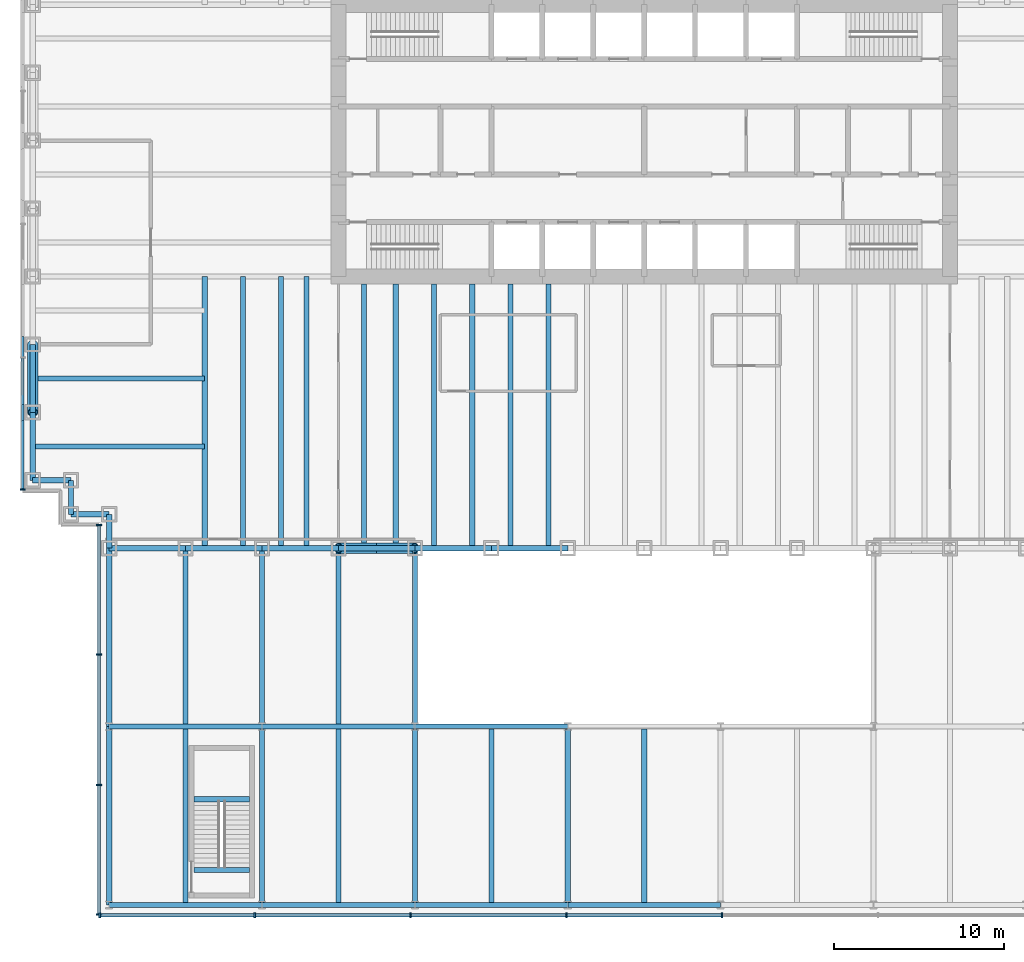
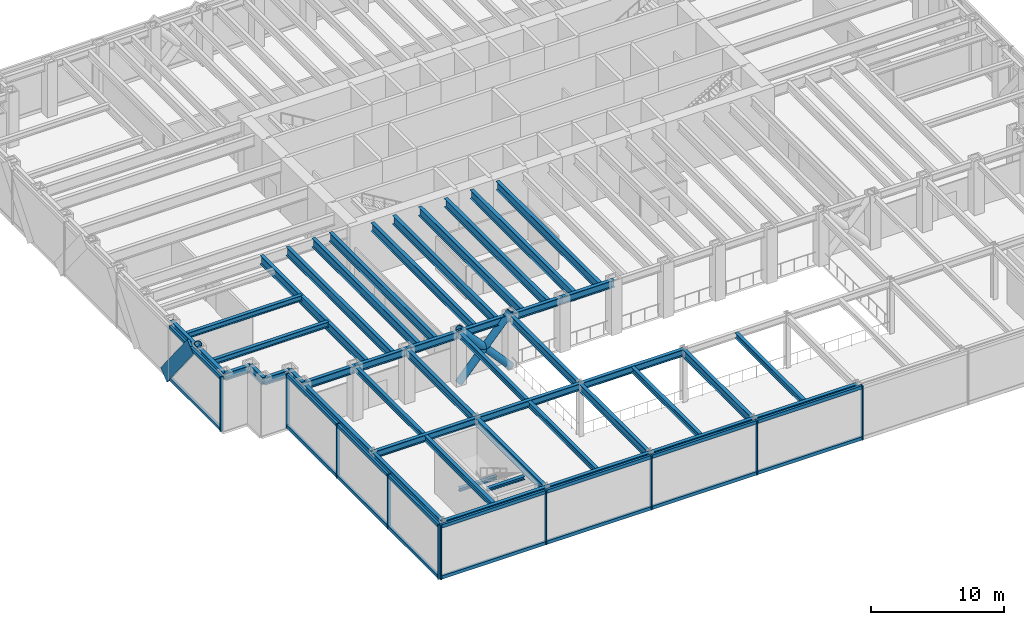
# One storey, part 3 of 17: 46 beams, 30 members, 3 elements without a shape of their own.
"""IFC4 building model written with IfcOpenShell, lengths in metres."""

from ifc_helpers import new_model, si_unit, direction, frame, origin, origin_2d, place, context, subcontext, project, spatial, rectangle, hollow_circle, i_section, extrude, material, material_profile, profile_set, type_object, element, aggregate, save


model = new_model("IFC4")

# Units and contexts
model_context = context("Model", 3, precision=1e-05, world=origin(), true_north=direction((0.0, 1.0)))
body_context = subcontext(model_context, "Body", "Model", "MODEL_VIEW")
ifc_project = project(units=[si_unit("LENGTHUNIT", "METRE"), si_unit("AREAUNIT", "SQUARE_METRE"), si_unit("VOLUMEUNIT", "CUBIC_METRE"), si_unit("PLANEANGLEUNIT", "RADIAN"), si_unit("MASSUNIT", "GRAM", prefix="KILO")], contexts=[model_context])

# Site, building, storey
site_placement = place(None, origin())
site = spatial("IfcSite", under=ifc_project, at=site_placement, CompositionType="ELEMENT")
building_placement = place(site_placement, origin())
building = spatial("IfcBuilding", under=site, at=building_placement, Name="Rheinbord Bourse Tower", CompositionType="ELEMENT")
storey_placement = place(building_placement, frame((0.0, 0.0, 13.0)))
storey = spatial("IfcBuildingStorey", under=building, at=storey_placement, Name="L02", CompositionType="ELEMENT", Elevation=13.0)

# Curtain wall, member
ifc_material_1 = material(Name="Dark glass and black aluminium", Category="aluminium")
curtain_wall_type = type_object("IfcCurtainWallType", Name="CW4 DARK GLASS CURTAIN WALL", PredefinedType="USERDEFINED", material=ifc_material_1)
curtain_wall_1_placement = place(storey_placement, origin())
curtain_wall_1 = element("IfcCurtainWall", 1, at=curtain_wall_1_placement, inside=storey, type_object=curtain_wall_type, Name="Curtain wall CW4 W L02", ObjectType="UNITISED CURTAIN WALL", PredefinedType="USERDEFINED")
ifc_material_2 = material(Name="Black anodised aluminium", Category="aluminium")
ifc_material_profile_1 = material_profile(ifc_material_2, rectangle(XDim=0.199951171875, YDim=1.2099609375, at=origin_2d()), Name="CW4 DIAGONAL MULLION 1210x200")
ifc_profile_set_1 = profile_set([ifc_material_profile_1], Name="Black anodised aluminium")
member_type_1 = type_object("IfcMemberType", Name="CW4 BLACK DIAGONAL MULLION", PredefinedType="USERDEFINED", material=ifc_profile_set_1)
member_1_placement = place(storey_placement, frame((-0.60009765625, 12.0, 0.0), z_axis=(0.0, -0.624695047554, 0.780868809443), x_axis=(1.0, 0.0, 0.0)))
member_1 = element("IfcMember", 2, at=member_1_placement, type_object=member_type_1, Name="CW4 diagonal mullion d", ObjectType="DIAGONAL MULLION", PredefinedType="USERDEFINED", context=body_context, shape_type="SweptSolid", body=[
    extrude(rectangle(XDim=0.199951171875, YDim=1.2099609375, at=origin_2d()), origin(), (0.0, 0.0, 1.0), 6.403076171875),
])

# Curtain wall, members
curtain_wall_2_placement = place(storey_placement, origin())
curtain_wall_2 = element("IfcCurtainWall", 3, at=curtain_wall_2_placement, inside=storey, type_object=curtain_wall_type, Name="Curtain wall CW4 S L02", ObjectType="UNITISED CURTAIN WALL", PredefinedType="USERDEFINED")
ifc_material_3 = material(Name="Black anodised aluminium", Category="aluminium")
ifc_material_profile_2 = material_profile(ifc_material_3, rectangle(XDim=0.300048828125, YDim=0.090087890625, at=origin_2d()), Name="CW4 MULLION 90x300")
ifc_profile_set_2 = profile_set([ifc_material_profile_2], Name="Black anodised aluminium")
member_type_2 = type_object("IfcMemberType", Name="CW4 BLACK MULLION", PredefinedType="MULLION", material=ifc_profile_set_2)
member_2_placement = place(storey_placement, frame((3.945068359375, -21.60009765625, 0.0), z_axis=(0.0, 0.0, 1.0), x_axis=(0.0, 1.0, 0.0)))
member_2 = element("IfcMember", 4, at=member_2_placement, type_object=member_type_2, Name="CW4 mullion 1", PredefinedType="MULLION", context=body_context, shape_type="SweptSolid", body=[
    extrude(rectangle(XDim=0.300048828125, YDim=0.090087890625, at=origin_2d()), origin(), (0.0, 0.0, 1.0), 5.0),
])
member_3_placement = place(storey_placement, frame((13.071533203125, -21.60009765625, 0.0), z_axis=(0.0, 0.0, 1.0), x_axis=(0.0, 1.0, 0.0)))
member_3 = element("IfcMember", 5, at=member_3_placement, type_object=member_type_2, Name="CW4 mullion 2", PredefinedType="MULLION", context=body_context, shape_type="SweptSolid", body=[
    extrude(rectangle(XDim=0.300048828125, YDim=0.090087890625, at=origin_2d()), origin(), (0.0, 0.0, 1.0), 5.0),
])
member_4_placement = place(storey_placement, frame((22.242919921875, -21.60009765625, 0.0), z_axis=(0.0, 0.0, 1.0), x_axis=(0.0, 1.0, 0.0)))
member_4 = element("IfcMember", 6, at=member_4_placement, type_object=member_type_2, Name="CW4 mullion 3", PredefinedType="MULLION", context=body_context, shape_type="SweptSolid", body=[
    extrude(rectangle(XDim=0.300048828125, YDim=0.090087890625, at=origin_2d()), origin(), (0.0, 0.0, 1.0), 5.0),
])
member_5_placement = place(storey_placement, frame((31.414306640625, -21.60009765625, 0.0), z_axis=(0.0, 0.0, 1.0), x_axis=(0.0, 1.0, 0.0)))
member_5 = element("IfcMember", 7, at=member_5_placement, type_object=member_type_2, Name="CW4 mullion 4", PredefinedType="MULLION", context=body_context, shape_type="SweptSolid", body=[
    extrude(rectangle(XDim=0.300048828125, YDim=0.090087890625, at=origin_2d()), origin(), (0.0, 0.0, 1.0), 5.0),
])
member_6_placement = place(storey_placement, frame((40.585693359375, -21.60009765625, 0.0), z_axis=(0.0, 0.0, 1.0), x_axis=(0.0, 1.0, 0.0)))
member_6 = element("IfcMember", 8, at=member_6_placement, type_object=member_type_2, Name="CW4 mullion 5", PredefinedType="MULLION", context=body_context, shape_type="SweptSolid", body=[
    extrude(rectangle(XDim=0.300048828125, YDim=0.090087890625, at=origin_2d()), origin(), (0.0, 0.0, 1.0), 5.0),
])

# Member
member_7_placement = place(storey_placement, frame((-0.60009765625, 3.445068359375, 0.0), z_axis=(0.0, 0.0, 1.0), x_axis=(1.0, 0.0, 0.0)))
member_7 = element("IfcMember", 9, at=member_7_placement, type_object=member_type_2, Name="CW4 mullion 6", PredefinedType="MULLION", context=body_context, shape_type="SweptSolid", body=[
    extrude(rectangle(XDim=0.300048828125, YDim=0.090087890625, at=origin_2d()), origin(), (0.0, 0.0, 1.0), 5.0),
])

# Curtain wall, members
curtain_wall_3_placement = place(storey_placement, origin())
curtain_wall_3 = element("IfcCurtainWall", 10, at=curtain_wall_3_placement, inside=storey, type_object=curtain_wall_type, Name="Curtain wall CW4 W L02", ObjectType="UNITISED CURTAIN WALL", PredefinedType="USERDEFINED")
member_8_placement = place(storey_placement, frame((3.89990234375, 1.35498046875, 0.0), z_axis=(0.0, 0.0, 1.0), x_axis=(1.0, 0.0, 0.0)))
member_8 = element("IfcMember", 11, at=member_8_placement, type_object=member_type_2, Name="CW4 mullion 1", PredefinedType="MULLION", context=body_context, shape_type="SweptSolid", body=[
    extrude(rectangle(XDim=0.300048828125, YDim=0.090087890625, at=origin_2d()), origin(), (0.0, 0.0, 1.0), 5.0),
])
member_9_placement = place(storey_placement, frame((3.89990234375, -6.2666015625, 0.0), z_axis=(0.0, 0.0, 1.0), x_axis=(1.0, 0.0, 0.0)))
member_9 = element("IfcMember", 12, at=member_9_placement, type_object=member_type_2, Name="CW4 mullion 2", PredefinedType="MULLION", context=body_context, shape_type="SweptSolid", body=[
    extrude(rectangle(XDim=0.300048828125, YDim=0.090087890625, at=origin_2d()), origin(), (0.0, 0.0, 1.0), 5.0),
])
member_10_placement = place(storey_placement, frame((3.89990234375, -13.933349609375, 0.0), z_axis=(0.0, 0.0, 1.0), x_axis=(1.0, 0.0, 0.0)))
member_10 = element("IfcMember", 13, at=member_10_placement, type_object=member_type_2, Name="CW4 mullion 3", PredefinedType="MULLION", context=body_context, shape_type="SweptSolid", body=[
    extrude(rectangle(XDim=0.300048828125, YDim=0.090087890625, at=origin_2d()), origin(), (0.0, 0.0, 1.0), 5.0),
])
member_11_placement = place(storey_placement, frame((3.89990234375, -21.554931640625, 0.0), z_axis=(0.0, 0.0, 1.0), x_axis=(1.0, 0.0, 0.0)))
member_11 = element("IfcMember", 14, at=member_11_placement, type_object=member_type_2, Name="CW4 mullion 4", PredefinedType="MULLION", context=body_context, shape_type="SweptSolid", body=[
    extrude(rectangle(XDim=0.300048828125, YDim=0.090087890625, at=origin_2d()), origin(), (0.0, 0.0, 1.0), 5.0),
])

# Member
ifc_material_4 = material(Name="Black anodised aluminium", Category="aluminium")
ifc_material_profile_3 = material_profile(ifc_material_4, rectangle(XDim=0.199951171875, YDim=0.300048828125, at=origin_2d()), Name="CW4 TRANSOM 300x200")
ifc_profile_set_3 = profile_set([ifc_material_profile_3], Name="Black anodised aluminium")
member_type_3 = type_object("IfcMemberType", Name="CW4 BLACK TRANSOM", PredefinedType="USERDEFINED", material=ifc_profile_set_3)
member_12_placement = place(storey_placement, frame((3.989990234375, -21.60009765625, 0.14990234375), z_axis=(1.0, 0.0, 0.0), x_axis=(0.0, 1.0, 0.0)))
member_12 = element("IfcMember", 15, at=member_12_placement, type_object=member_type_3, Name="CW4 transom 1.1", ObjectType="TRANSOM", PredefinedType="USERDEFINED", context=body_context, shape_type="SweptSolid", body=[
    extrude(rectangle(XDim=0.199951171875, YDim=0.300048828125, at=origin_2d()), origin(), (0.0, 0.0, 1.0), 9.036376953125),
])

member_13_placement = place(storey_placement, frame((3.989990234375, -21.60009765625, 4.85009765625), z_axis=(1.0, 0.0, 0.0), x_axis=(0.0, 1.0, 0.0)))
member_13 = element("IfcMember", 16, at=member_13_placement, type_object=member_type_3, Name="CW4 transom 1.2", ObjectType="TRANSOM", PredefinedType="USERDEFINED", context=body_context, shape_type="SweptSolid", body=[
    extrude(rectangle(XDim=0.199951171875, YDim=0.300048828125, at=origin_2d()), origin(), (0.0, 0.0, 1.0), 9.036376953125),
])

member_14_placement = place(storey_placement, frame((13.116455078125, -21.60009765625, 0.14990234375), z_axis=(1.0, 0.0, 0.0), x_axis=(0.0, 1.0, 0.0)))
member_14 = element("IfcMember", 17, at=member_14_placement, type_object=member_type_3, Name="CW4 transom 2.1", ObjectType="TRANSOM", PredefinedType="USERDEFINED", context=body_context, shape_type="SweptSolid", body=[
    extrude(rectangle(XDim=0.199951171875, YDim=0.300048828125, at=origin_2d()), origin(), (0.0, 0.0, 1.0), 9.081298828125),
])

member_15_placement = place(storey_placement, frame((13.116455078125, -21.60009765625, 4.85009765625), z_axis=(1.0, 0.0, 0.0), x_axis=(0.0, 1.0, 0.0)))
member_15 = element("IfcMember", 18, at=member_15_placement, type_object=member_type_3, Name="CW4 transom 2.2", ObjectType="TRANSOM", PredefinedType="USERDEFINED", context=body_context, shape_type="SweptSolid", body=[
    extrude(rectangle(XDim=0.199951171875, YDim=0.300048828125, at=origin_2d()), origin(), (0.0, 0.0, 1.0), 9.081298828125),
])

member_16_placement = place(storey_placement, frame((22.287841796875, -21.60009765625, 0.14990234375), z_axis=(1.0, 0.0, 0.0), x_axis=(0.0, 1.0, 0.0)))
member_16 = element("IfcMember", 19, at=member_16_placement, type_object=member_type_3, Name="CW4 transom 3.1", ObjectType="TRANSOM", PredefinedType="USERDEFINED", context=body_context, shape_type="SweptSolid", body=[
    extrude(rectangle(XDim=0.199951171875, YDim=0.300048828125, at=origin_2d()), origin(), (0.0, 0.0, 1.0), 9.08154296875),
])

member_17_placement = place(storey_placement, frame((22.287841796875, -21.60009765625, 4.85009765625), z_axis=(1.0, 0.0, 0.0), x_axis=(0.0, 1.0, 0.0)))
member_17 = element("IfcMember", 20, at=member_17_placement, type_object=member_type_3, Name="CW4 transom 3.2", ObjectType="TRANSOM", PredefinedType="USERDEFINED", context=body_context, shape_type="SweptSolid", body=[
    extrude(rectangle(XDim=0.199951171875, YDim=0.300048828125, at=origin_2d()), origin(), (0.0, 0.0, 1.0), 9.08154296875),
])

member_18_placement = place(storey_placement, frame((31.459228515625, -21.60009765625, 0.14990234375), z_axis=(1.0, 0.0, 0.0), x_axis=(0.0, 1.0, 0.0)))
member_18 = element("IfcMember", 21, at=member_18_placement, type_object=member_type_3, Name="CW4 transom 4.1", ObjectType="TRANSOM", PredefinedType="USERDEFINED", context=body_context, shape_type="SweptSolid", body=[
    extrude(rectangle(XDim=0.199951171875, YDim=0.300048828125, at=origin_2d()), origin(), (0.0, 0.0, 1.0), 9.08154296875),
])

member_19_placement = place(storey_placement, frame((31.459228515625, -21.60009765625, 4.85009765625), z_axis=(1.0, 0.0, 0.0), x_axis=(0.0, 1.0, 0.0)))
member_19 = element("IfcMember", 22, at=member_19_placement, type_object=member_type_3, Name="CW4 transom 4.2", ObjectType="TRANSOM", PredefinedType="USERDEFINED", context=body_context, shape_type="SweptSolid", body=[
    extrude(rectangle(XDim=0.199951171875, YDim=0.300048828125, at=origin_2d()), origin(), (0.0, 0.0, 1.0), 9.08154296875),
])

aggregate(curtain_wall_2, [member_2, member_3, member_4, member_5, member_6, member_12, member_13, member_14, member_15, member_16, member_17, member_18, member_19])

member_20_placement = place(storey_placement, frame((-0.60009765625, 11.195068359375, 0.14990234375), z_axis=(0.0, -1.0, 0.0), x_axis=(1.0, 0.0, 0.0)))
member_20 = element("IfcMember", 23, at=member_20_placement, type_object=member_type_3, Name="CW4 transom 5.1", ObjectType="TRANSOM", PredefinedType="USERDEFINED", context=body_context, shape_type="SweptSolid", body=[
    extrude(rectangle(XDim=0.199951171875, YDim=0.300048828125, at=origin_2d()), origin(), (0.0, 0.0, 1.0), 7.705078125),
])

member_21_placement = place(storey_placement, frame((-0.60009765625, 11.195068359375, 4.85009765625), z_axis=(0.0, -1.0, 0.0), x_axis=(1.0, 0.0, 0.0)))
member_21 = element("IfcMember", 24, at=member_21_placement, type_object=member_type_3, Name="CW4 transom 5.2", ObjectType="TRANSOM", PredefinedType="USERDEFINED", context=body_context, shape_type="SweptSolid", body=[
    extrude(rectangle(XDim=0.199951171875, YDim=0.300048828125, at=origin_2d()), origin(), (0.0, 0.0, 1.0), 7.705078125),
])

aggregate(curtain_wall_1, [member_7, member_20, member_21, member_1])

member_22_placement = place(storey_placement, frame((3.89990234375, 1.31005859375, 0.14990234375), z_axis=(0.0, -1.0, 0.0), x_axis=(1.0, 0.0, 0.0)))
member_22 = element("IfcMember", 25, at=member_22_placement, type_object=member_type_3, Name="CW4 transom 1.1", ObjectType="TRANSOM", PredefinedType="USERDEFINED", context=body_context, shape_type="SweptSolid", body=[
    extrude(rectangle(XDim=0.199951171875, YDim=0.300048828125, at=origin_2d()), origin(), (0.0, 0.0, 1.0), 7.53173828125),
])

member_23_placement = place(storey_placement, frame((3.89990234375, 1.31005859375, 4.85009765625), z_axis=(0.0, -1.0, 0.0), x_axis=(1.0, 0.0, 0.0)))
member_23 = element("IfcMember", 26, at=member_23_placement, type_object=member_type_3, Name="CW4 transom 1.2", ObjectType="TRANSOM", PredefinedType="USERDEFINED", context=body_context, shape_type="SweptSolid", body=[
    extrude(rectangle(XDim=0.199951171875, YDim=0.300048828125, at=origin_2d()), origin(), (0.0, 0.0, 1.0), 7.53173828125),
])

member_24_placement = place(storey_placement, frame((3.89990234375, -6.311767578125, 0.14990234375), z_axis=(0.0, -1.0, 0.0), x_axis=(1.0, 0.0, 0.0)))
member_24 = element("IfcMember", 27, at=member_24_placement, type_object=member_type_3, Name="CW4 transom 2.1", ObjectType="TRANSOM", PredefinedType="USERDEFINED", context=body_context, shape_type="SweptSolid", body=[
    extrude(rectangle(XDim=0.199951171875, YDim=0.300048828125, at=origin_2d()), origin(), (0.0, 0.0, 1.0), 7.57666015625),
])

member_25_placement = place(storey_placement, frame((3.89990234375, -6.311767578125, 4.85009765625), z_axis=(0.0, -1.0, 0.0), x_axis=(1.0, 0.0, 0.0)))
member_25 = element("IfcMember", 28, at=member_25_placement, type_object=member_type_3, Name="CW4 transom 2.2", ObjectType="TRANSOM", PredefinedType="USERDEFINED", context=body_context, shape_type="SweptSolid", body=[
    extrude(rectangle(XDim=0.199951171875, YDim=0.300048828125, at=origin_2d()), origin(), (0.0, 0.0, 1.0), 7.57666015625),
])

member_26_placement = place(storey_placement, frame((3.89990234375, -13.978271484375, 0.14990234375), z_axis=(0.0, -1.0, 0.0), x_axis=(1.0, 0.0, 0.0)))
member_26 = element("IfcMember", 29, at=member_26_placement, type_object=member_type_3, Name="CW4 transom 3.1", ObjectType="TRANSOM", PredefinedType="USERDEFINED", context=body_context, shape_type="SweptSolid", body=[
    extrude(rectangle(XDim=0.199951171875, YDim=0.300048828125, at=origin_2d()), origin(), (0.0, 0.0, 1.0), 7.53173828125),
])

member_27_placement = place(storey_placement, frame((3.89990234375, -13.978271484375, 4.85009765625), z_axis=(0.0, -1.0, 0.0), x_axis=(1.0, 0.0, 0.0)))
member_27 = element("IfcMember", 30, at=member_27_placement, type_object=member_type_3, Name="CW4 transom 3.2", ObjectType="TRANSOM", PredefinedType="USERDEFINED", context=body_context, shape_type="SweptSolid", body=[
    extrude(rectangle(XDim=0.199951171875, YDim=0.300048828125, at=origin_2d()), origin(), (0.0, 0.0, 1.0), 7.53173828125),
])

aggregate(curtain_wall_3, [member_8, member_9, member_10, member_11, member_22, member_23, member_24, member_25, member_26, member_27])

# Beams
ifc_material_5 = material(Name="Steel S460", Category="steel")
ifc_material_profile_4 = material_profile(ifc_material_5, i_section(OverallWidth=0.300048828125, OverallDepth=0.800048828125, WebThickness=0.017578125, FlangeThickness=0.032958984375, at=origin_2d()), Name="HEB 800")
ifc_profile_set_4 = profile_set([ifc_material_profile_4], Name="Steel S460")
beam_type_1 = type_object("IfcBeamType", Name="FLOOR BEAM HEB 800", PredefinedType="BEAM", material=ifc_profile_set_4)
for number, where, z_axis, x_axis, name in (
    (31, (10.125, 0.0, 4.419921875), (0.0, 1.0, 0.0), (-1.0, 0.0, 0.0), "Floor beam S-9a L03"),
    (32, (12.375, 0.0, 4.419921875), (0.0, 1.0, 0.0), (-1.0, 0.0, 0.0), "Floor beam S-9b L03"),
    (33, (14.625, 0.0, 4.419921875), (0.0, 1.0, 0.0), (-1.0, 0.0, 0.0), "Floor beam S-13.5a L03"),
    (34, (16.125, 0.0, 4.419921875), (0.0, 1.0, 0.0), (-1.0, 0.0, 0.0), "Floor beam S-13.5b L03"),
):
    element("IfcBeam", number, at=place(storey_placement, frame(where, z_axis=z_axis, x_axis=x_axis)), inside=storey, type_object=beam_type_1, Name=name, PredefinedType="BEAM", context=body_context, shape_type="SweptSolid", body=[
        extrude(i_section(OverallWidth=0.300048828125, OverallDepth=0.800048828125, WebThickness=0.017578125, FlangeThickness=0.032958984375, at=origin_2d()), origin(), (0.0, 0.0, 1.0), 16.0),
    ])
for number, where, z_axis, x_axis, name in (
    (35, (19.5, 0.0, 4.419921875), (0.0, 1.0, 0.0), (-1.0, 0.0, 0.0), "Floor beam S-18a L03"),
    (36, (21.375, 0.0, 4.419921875), (0.0, 1.0, 0.0), (-1.0, 0.0, 0.0), "Floor beam S-18b L03"),
    (37, (23.625, 0.0, 4.419921875), (0.0, 1.0, 0.0), (-1.0, 0.0, 0.0), "Floor beam S-22.5a L03"),
    (38, (25.875, 0.0, 4.419921875), (0.0, 1.0, 0.0), (-1.0, 0.0, 0.0), "Floor beam S-22.5b L03"),
    (39, (28.125, 0.0, 4.419921875), (0.0, 1.0, 0.0), (-1.0, 0.0, 0.0), "Floor beam S-27a L03"),
    (40, (30.375, 0.0, 4.419921875), (0.0, 1.0, 0.0), (-1.0, 0.0, 0.0), "Floor beam S-27b L03"),
):
    element("IfcBeam", number, at=place(storey_placement, frame(where, z_axis=z_axis, x_axis=x_axis)), inside=storey, type_object=beam_type_1, Name=name, PredefinedType="BEAM", context=body_context, shape_type="SweptSolid", body=[
        extrude(i_section(OverallWidth=0.300048828125, OverallDepth=0.800048828125, WebThickness=0.017578125, FlangeThickness=0.032958984375, at=origin_2d()), origin(), (0.0, 0.0, 1.0), 15.550048828125),
    ])
ifc_material_6 = material(Name="Steel S460", Category="steel")
ifc_material_profile_5 = material_profile(ifc_material_6, i_section(OverallWidth=0.300048828125, OverallDepth=0.300048828125, WebThickness=0.010986328125, FlangeThickness=0.01904296875, at=origin_2d()), Name="HEB 300")
ifc_profile_set_5 = profile_set([ifc_material_profile_5], Name="Steel S460")
beam_type_2 = type_object("IfcBeamType", Name="LANDING TRIMMER HEB 300", PredefinedType="BEAM", material=ifc_profile_set_5)
for number, where, z_axis, x_axis, name in (
    (41, (9.5, -14.780029296875, 2.14990234375), (1.0, 0.0, 0.0), (0.0, 1.0, 0.0), "Landing trimmer ST5 L02"),
    (42, (9.5, -18.949951171875, 4.669921875), (1.0, 0.0, 0.0), (0.0, 1.0, 0.0), "Well trimmer ST5 under L03"),
):
    element("IfcBeam", number, at=place(storey_placement, frame(where, z_axis=z_axis, x_axis=x_axis)), inside=storey, type_object=beam_type_2, Name=name, PredefinedType="BEAM", context=body_context, shape_type="SweptSolid", body=[
        extrude(i_section(OverallWidth=0.300048828125, OverallDepth=0.300048828125, WebThickness=0.010986328125, FlangeThickness=0.01904296875, at=origin_2d()), origin(), (0.0, 0.0, 1.0), 3.25),
    ])

# Members
ifc_material_7 = material(Name="Steel S460", Category="steel")
ifc_material_profile_6 = material_profile(ifc_material_7, hollow_circle(Radius=0.304931640625, WallThickness=0.050048828125, at=origin_2d()), Name="CHS 610x50")
ifc_profile_set_6 = profile_set([ifc_material_profile_6], Name="Steel S460")
member_type_4 = type_object("IfcMemberType", Name="MEGABRACE CHS 610x50", PredefinedType="BRACE", material=ifc_profile_set_6)
for number, where, z_axis, x_axis, name in (
    (43, (18.0, 0.0, 0.0), (0.668964731622, 0.0, 0.743294146247), (0.0, 1.0, 0.0), "Megabrace S face line a L02"),
    (44, (22.5, 0.0, 0.0), (-0.668964731622, 0.0, 0.743294146247), (0.0, -1.0, 0.0), "Megabrace S face line d L02"),
):
    element("IfcMember", number, at=place(storey_placement, frame(where, z_axis=z_axis, x_axis=x_axis)), inside=storey, type_object=member_type_4, Name=name, PredefinedType="BRACE", context=body_context, shape_type="SweptSolid", body=[
        extrude(hollow_circle(Radius=0.304931640625, WallThickness=0.050048828125, at=origin_2d()), origin(), (0.0, 0.0, 1.0), 6.726806640625),
    ])
member_28_placement = place(storey_placement, frame((0.0, 12.0, 0.0), z_axis=(0.0, -0.624695047554, 0.780868809443), x_axis=(1.0, 0.0, 0.0)))
element("IfcMember", 45, at=member_28_placement, inside=storey, type_object=member_type_4, Name="Megabrace W face line d L02", PredefinedType="BRACE", context=body_context, shape_type="SweptSolid", body=[
    extrude(hollow_circle(Radius=0.304931640625, WallThickness=0.050048828125, at=origin_2d()), origin(), (0.0, 0.0, 1.0), 6.403076171875),
])

# Beams
ifc_material_8 = material(Name="Steel S460", Category="steel")
ifc_material_profile_7 = material_profile(ifc_material_8, i_section(OverallWidth=0.304931640625, OverallDepth=0.6201171875, WebThickness=0.02099609375, FlangeThickness=0.0400390625, at=origin_2d()), Name="HEM 600")
ifc_profile_set_7 = profile_set([ifc_material_profile_7], Name="Steel S460")
beam_type_3 = type_object("IfcBeamType", Name="PODIUM EDGE BEAM HEM 600", PredefinedType="BEAM", material=ifc_profile_set_7)
for number, where, z_axis, x_axis, name in (
    (46, (4.5, -21.0, 4.510009765625), (1.0, 0.0, 0.0), (0.0, 1.0, 0.0), "Podium edge beam 4.5-13.5 L03"),
    (47, (4.5, -10.5, 4.510009765625), (1.0, 0.0, 0.0), (0.0, 1.0, 0.0), "Podium edge beam 4.5-13.5 L03"),
    (48, (13.5, -21.0, 4.510009765625), (1.0, 0.0, 0.0), (0.0, 1.0, 0.0), "Podium edge beam 13.5-22.5 L03"),
    (49, (13.5, -10.5, 4.510009765625), (1.0, 0.0, 0.0), (0.0, 1.0, 0.0), "Podium edge beam 13.5-22.5 L03"),
    (50, (22.5, -21.0, 4.510009765625), (1.0, 0.0, 0.0), (0.0, 1.0, 0.0), "Podium edge beam 22.5-31.5 L03"),
    (51, (22.5, -10.5, 4.510009765625), (1.0, 0.0, 0.0), (0.0, 1.0, 0.0), "Podium edge beam 22.5-31.5 L03"),
    (52, (31.5, -21.0, 4.510009765625), (1.0, 0.0, 0.0), (0.0, 1.0, 0.0), "Podium edge beam 31.5-40.5 L03"),
):
    element("IfcBeam", number, at=place(storey_placement, frame(where, z_axis=z_axis, x_axis=x_axis)), inside=storey, type_object=beam_type_3, Name=name, PredefinedType="BEAM", context=body_context, shape_type="SweptSolid", body=[
        extrude(i_section(OverallWidth=0.304931640625, OverallDepth=0.6201171875, WebThickness=0.02099609375, FlangeThickness=0.0400390625, at=origin_2d()), origin(), (0.0, 0.0, 1.0), 9.0),
    ])
ifc_material_9 = material(Name="Steel S460", Category="steel")
ifc_material_profile_8 = material_profile(ifc_material_9, i_section(OverallWidth=0.303955078125, OverallDepth=0.716064453125, WebThickness=0.02099609375, FlangeThickness=0.0400390625, at=origin_2d()), Name="HEM 700")
ifc_profile_set_8 = profile_set([ifc_material_profile_8], Name="Steel S460")
beam_type_4 = type_object("IfcBeamType", Name="PODIUM GIRDER HEM 700", PredefinedType="BEAM", material=ifc_profile_set_8)
for number, where, z_axis, x_axis, name in (
    (53, (4.5, -21.0, 4.4619140625), (0.0, 1.0, 0.0), (-1.0, 0.0, 0.0), "Podium girder 4.5 L03"),
    (54, (4.5, -10.5, 4.4619140625), (0.0, 1.0, 0.0), (-1.0, 0.0, 0.0), "Podium girder 4.5 L03"),
    (55, (13.5, -21.0, 4.4619140625), (0.0, 1.0, 0.0), (-1.0, 0.0, 0.0), "Podium girder 13.5 L03"),
    (56, (13.5, -10.5, 4.4619140625), (0.0, 1.0, 0.0), (-1.0, 0.0, 0.0), "Podium girder 13.5 L03"),
    (57, (22.5, -21.0, 4.4619140625), (0.0, 1.0, 0.0), (-1.0, 0.0, 0.0), "Podium girder 22.5 L03"),
    (58, (22.5, -10.5, 4.4619140625), (0.0, 1.0, 0.0), (-1.0, 0.0, 0.0), "Podium girder 22.5 L03"),
    (59, (31.5, -21.0, 4.4619140625), (0.0, 1.0, 0.0), (-1.0, 0.0, 0.0), "Podium girder 31.5 L03"),
):
    element("IfcBeam", number, at=place(storey_placement, frame(where, z_axis=z_axis, x_axis=x_axis)), inside=storey, type_object=beam_type_4, Name=name, PredefinedType="BEAM", context=body_context, shape_type="SweptSolid", body=[
        extrude(i_section(OverallWidth=0.303955078125, OverallDepth=0.716064453125, WebThickness=0.02099609375, FlangeThickness=0.0400390625, at=origin_2d()), origin(), (0.0, 0.0, 1.0), 10.5),
    ])
ifc_material_10 = material(Name="Steel S460", Category="steel")
ifc_material_profile_9 = material_profile(ifc_material_10, i_section(OverallWidth=0.300048828125, OverallDepth=0.5, WebThickness=0.014404296875, FlangeThickness=0.028076171875, at=origin_2d()), Name="HEB 500")
ifc_profile_set_9 = profile_set([ifc_material_profile_9], Name="Steel S460")
beam_type_5 = type_object("IfcBeamType", Name="PODIUM JOIST HEB 500", PredefinedType="JOIST", material=ifc_profile_set_9)
for number, where, z_axis, x_axis, name in (
    (60, (9.0, -21.0, 4.570068359375), (0.0, 1.0, 0.0), (-1.0, 0.0, 0.0), "Podium joist 9 L03"),
    (61, (9.0, -10.347412109375, 4.570068359375), (0.0, 1.0, 0.0), (-1.0, 0.0, 0.0), "Podium joist 9 L03"),
    (62, (18.0, -21.0, 4.570068359375), (0.0, 1.0, 0.0), (-1.0, 0.0, 0.0), "Podium joist 18 L03"),
    (63, (18.0, -10.347412109375, 4.570068359375), (0.0, 1.0, 0.0), (-1.0, 0.0, 0.0), "Podium joist 18 L03"),
    (64, (27.0, -21.0, 4.570068359375), (0.0, 1.0, 0.0), (-1.0, 0.0, 0.0), "Podium joist 27 L03"),
    (65, (36.0, -21.0, 4.570068359375), (0.0, 1.0, 0.0), (-1.0, 0.0, 0.0), "Podium joist 36 L03"),
):
    element("IfcBeam", number, at=place(storey_placement, frame(where, z_axis=z_axis, x_axis=x_axis)), inside=storey, type_object=beam_type_5, Name=name, PredefinedType="JOIST", context=body_context, shape_type="SweptSolid", body=[
        extrude(i_section(OverallWidth=0.300048828125, OverallDepth=0.5, WebThickness=0.014404296875, FlangeThickness=0.028076171875, at=origin_2d()), origin(), (0.0, 0.0, 1.0), 10.347412109375),
    ])
ifc_material_11 = material(Name="Steel S460", Category="steel")
ifc_material_profile_10 = material_profile(ifc_material_11, i_section(OverallWidth=0.304931640625, OverallDepth=0.66796875, WebThickness=0.02099609375, FlangeThickness=0.0400390625, at=origin_2d()), Name="HEM 650")
ifc_profile_set_10 = profile_set([ifc_material_profile_10], Name="Steel S460")
beam_type_6 = type_object("IfcBeamType", Name="SPANDREL HEM 650", PredefinedType="SPANDREL", material=ifc_profile_set_10)
for number, where, z_axis, x_axis, name in (
    (66, (4.5, 0.0, 4.486083984375), (1.0, 0.0, 0.0), (0.0, 1.0, 0.0), "Spandrel SW-E-S-9 under L03"),
    (67, (9.0, 0.0, 4.486083984375), (1.0, 0.0, 0.0), (0.0, 1.0, 0.0), "Spandrel S-9-S-13.5 under L03"),
    (68, (13.5, 0.0, 4.486083984375), (1.0, 0.0, 0.0), (0.0, 1.0, 0.0), "Spandrel S-13.5-S-18 under L03"),
    (69, (18.0, 0.0, 4.486083984375), (1.0, 0.0, 0.0), (0.0, 1.0, 0.0), "Spandrel S-18-S-22.5 under L03"),
    (70, (22.5, 0.0, 4.486083984375), (1.0, 0.0, 0.0), (0.0, 1.0, 0.0), "Spandrel S-22.5-S-27 under L03"),
    (71, (27.0, 0.0, 4.486083984375), (1.0, 0.0, 0.0), (0.0, 1.0, 0.0), "Spandrel S-27-S-31.5 under L03"),
):
    element("IfcBeam", number, at=place(storey_placement, frame(where, z_axis=z_axis, x_axis=x_axis)), inside=storey, type_object=beam_type_6, Name=name, PredefinedType="SPANDREL", context=body_context, shape_type="SweptSolid", body=[
        extrude(i_section(OverallWidth=0.304931640625, OverallDepth=0.66796875, WebThickness=0.02099609375, FlangeThickness=0.0400390625, at=origin_2d()), origin(), (0.0, 0.0, 1.0), 4.5),
    ])
for number, where, z_axis, x_axis, name in (
    (72, (0.0, 12.0, 4.486083984375), (0.0, -1.0, 0.0), (1.0, 0.0, 0.0), "Spandrel W-12-W-8 under L03"),
    (73, (0.0, 8.0, 4.486083984375), (0.0, -1.0, 0.0), (1.0, 0.0, 0.0), "Spandrel W-8-SW-A under L03"),
):
    element("IfcBeam", number, at=place(storey_placement, frame(where, z_axis=z_axis, x_axis=x_axis)), inside=storey, type_object=beam_type_6, Name=name, PredefinedType="SPANDREL", context=body_context, shape_type="SweptSolid", body=[
        extrude(i_section(OverallWidth=0.304931640625, OverallDepth=0.66796875, WebThickness=0.02099609375, FlangeThickness=0.0400390625, at=origin_2d()), origin(), (0.0, 0.0, 1.0), 4.0),
    ])
beam_1_placement = place(storey_placement, frame((0.0, 4.0, 4.486083984375), z_axis=(1.0, 0.0, 0.0), x_axis=(0.0, 1.0, 0.0)))
element("IfcBeam", 74, at=beam_1_placement, inside=storey, type_object=beam_type_6, Name="Spandrel SW-A-SW-B under L03", PredefinedType="SPANDREL", context=body_context, shape_type="SweptSolid", body=[
    extrude(i_section(OverallWidth=0.304931640625, OverallDepth=0.66796875, WebThickness=0.02099609375, FlangeThickness=0.0400390625, at=origin_2d()), origin(), (0.0, 0.0, 1.0), 2.25),
])
beam_2_placement = place(storey_placement, frame((2.25, 4.0, 4.486083984375), z_axis=(0.0, -1.0, 0.0), x_axis=(1.0, 0.0, 0.0)))
element("IfcBeam", 75, at=beam_2_placement, inside=storey, type_object=beam_type_6, Name="Spandrel SW-B-SW-C under L03", PredefinedType="SPANDREL", context=body_context, shape_type="SweptSolid", body=[
    extrude(i_section(OverallWidth=0.304931640625, OverallDepth=0.66796875, WebThickness=0.02099609375, FlangeThickness=0.0400390625, at=origin_2d()), origin(), (0.0, 0.0, 1.0), 2.0),
])
beam_3_placement = place(storey_placement, frame((2.25, 2.0, 4.486083984375), z_axis=(1.0, 0.0, 0.0), x_axis=(0.0, 1.0, 0.0)))
element("IfcBeam", 76, at=beam_3_placement, inside=storey, type_object=beam_type_6, Name="Spandrel SW-C-SW-D under L03", PredefinedType="SPANDREL", context=body_context, shape_type="SweptSolid", body=[
    extrude(i_section(OverallWidth=0.304931640625, OverallDepth=0.66796875, WebThickness=0.02099609375, FlangeThickness=0.0400390625, at=origin_2d()), origin(), (0.0, 0.0, 1.0), 2.25),
])
beam_4_placement = place(storey_placement, frame((4.5, 2.0, 4.486083984375), z_axis=(0.0, -1.0, 0.0), x_axis=(1.0, 0.0, 0.0)))
element("IfcBeam", 77, at=beam_4_placement, inside=storey, type_object=beam_type_6, Name="Spandrel SW-D-SW-E under L03", PredefinedType="SPANDREL", context=body_context, shape_type="SweptSolid", body=[
    extrude(i_section(OverallWidth=0.304931640625, OverallDepth=0.66796875, WebThickness=0.02099609375, FlangeThickness=0.0400390625, at=origin_2d()), origin(), (0.0, 0.0, 1.0), 2.0),
])
ifc_material_12 = material(Name="Steel S460", Category="steel")
ifc_material_profile_11 = material_profile(ifc_material_12, i_section(OverallWidth=0.300048828125, OverallDepth=0.5, WebThickness=0.014404296875, FlangeThickness=0.028076171875, at=origin_2d()), Name="HEB 500")
ifc_profile_set_11 = profile_set([ifc_material_profile_11], Name="Steel S460")
beam_type_7 = type_object("IfcBeamType", Name="TIE BEAM HEB 500", PredefinedType="JOIST", material=ifc_profile_set_11)
for number, where, z_axis, x_axis, name in (
    (78, (0.0, 6.0, 4.570068359375), (1.0, 0.0, 0.0), (0.0, 1.0, 0.0), "Tie west 6 L03"),
    (79, (0.0, 10.0, 4.570068359375), (1.0, 0.0, 0.0), (0.0, 1.0, 0.0), "Tie west 10 L03"),
):
    element("IfcBeam", number, at=place(storey_placement, frame(where, z_axis=z_axis, x_axis=x_axis)), inside=storey, type_object=beam_type_7, Name=name, PredefinedType="JOIST", context=body_context, shape_type="SweptSolid", body=[
        extrude(i_section(OverallWidth=0.300048828125, OverallDepth=0.5, WebThickness=0.014404296875, FlangeThickness=0.028076171875, at=origin_2d()), origin(), (0.0, 0.0, 1.0), 10.125),
    ])

save(model, "model.ifc")
